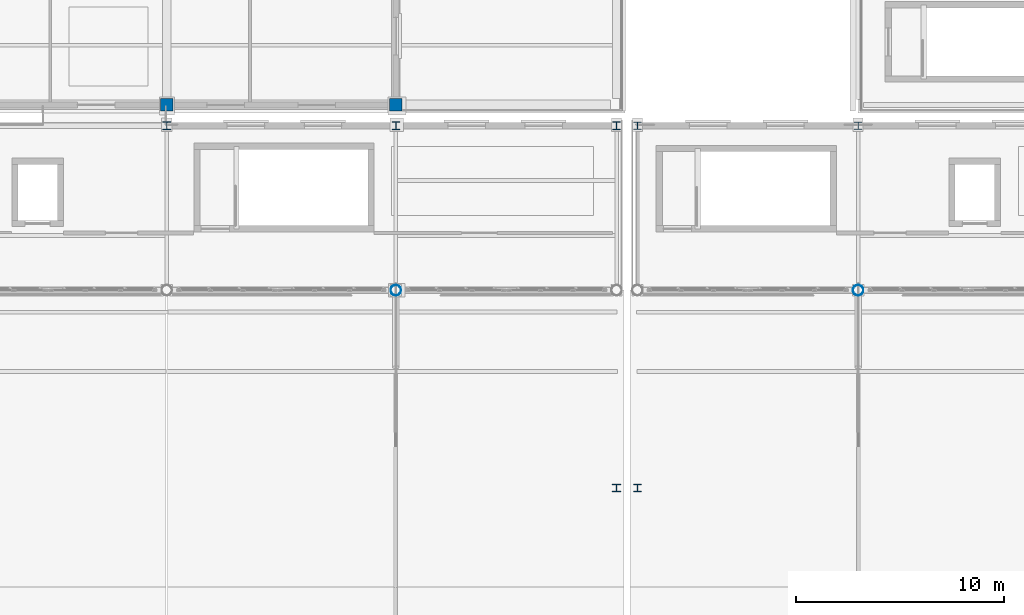
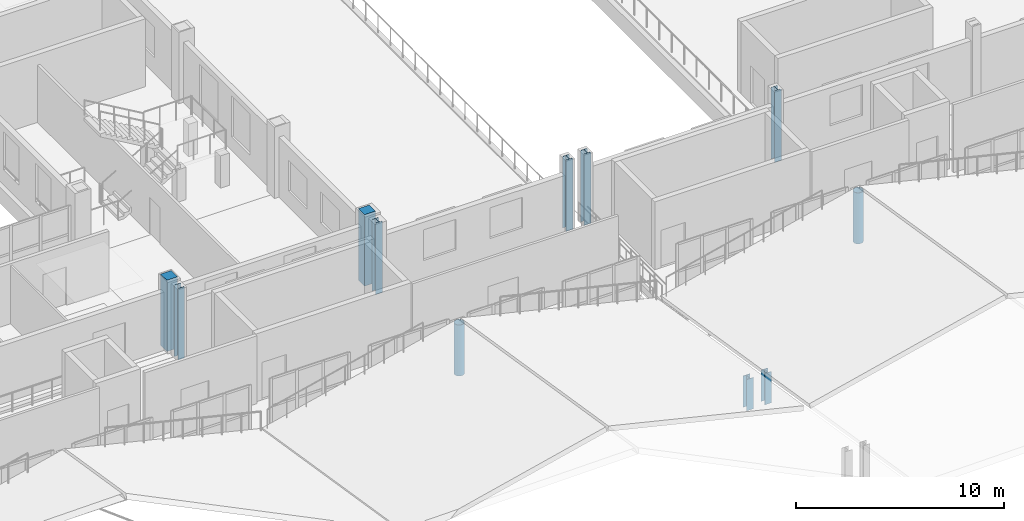
# One storey, part 6 of 120: 11 columns.
"""IFC4 building model written with IfcOpenShell, lengths in metres."""

from ifc_helpers import new_model, si_unit, direction, frame, origin, origin_2d, place, context, subcontext, project, spatial, rectangle, hollow_circle, i_section, extrude, material, material_profile, profile_set, type_object, element, save


model = new_model("IFC4")

# Units and contexts
model_context = context("Model", 3, precision=1e-05, world=origin(), true_north=direction((0.0, 1.0)))
body_context = subcontext(model_context, "Body", "Model", "MODEL_VIEW")
ifc_project = project(units=[si_unit("LENGTHUNIT", "METRE"), si_unit("AREAUNIT", "SQUARE_METRE"), si_unit("VOLUMEUNIT", "CUBIC_METRE"), si_unit("PLANEANGLEUNIT", "RADIAN"), si_unit("MASSUNIT", "GRAM", prefix="KILO")], contexts=[model_context])

# Site, building, storey
site_placement = place(None, origin())
site = spatial("IfcSite", under=ifc_project, at=site_placement, CompositionType="ELEMENT")
building_placement = place(site_placement, origin())
building = spatial("IfcBuilding", under=site, at=building_placement, Name="Caurita Quay Ferry Terminal", CompositionType="ELEMENT")
storey_placement = place(building_placement, frame((0.0, 0.0, 9.89990234375)))
storey = spatial("IfcBuildingStorey", under=building, at=storey_placement, Name="L02", CompositionType="ELEMENT", Elevation=9.89990234375)

# Columns
ifc_material_1 = material(Name="Hollow structural steel ASTM A500 Gr. C", Category="steel")
ifc_material_profile_1 = material_profile(ifc_material_1, hollow_circle(Radius=0.25390625, WallThickness=0.01171875, at=origin_2d()), Name="HSS20.000X0.500")
ifc_profile_set_1 = profile_set([ifc_material_profile_1], Name="Hollow structural steel ASTM A500 Gr. C")
column_type_1 = type_object("IfcColumnType", Name="COL-MST-01", PredefinedType="COLUMN", material=ifc_profile_set_1)
for number, where, z_axis, x_axis, name in (
    (1, (77.0, 62.699951171875, 0.0), (0.0, 0.0, 1.0), (1.0, 0.0, 0.0), "L02 Column V1-MST-08-N"),
    (2, (99.199951171875, 62.699951171875, 0.0), (0.0, 0.0, 1.0), (1.0, 0.0, 0.0), "L02 Column V2-MST-11-N"),
):
    element("IfcColumn", number, at=place(storey_placement, frame(where, z_axis=z_axis, x_axis=x_axis)), inside=storey, type_object=column_type_1, Name=name, PredefinedType="COLUMN", context=body_context, shape_type="SweptSolid", body=[
        extrude(hollow_circle(Radius=0.25390625, WallThickness=0.01171875, at=origin_2d()), origin(), (0.0, 0.0, 1.0), 3.0),
    ])
ifc_material_2 = material(Name="Reinforced concrete C35/45", Category="concrete")
ifc_material_profile_2 = material_profile(ifc_material_2, rectangle(XDim=0.60009765625, YDim=0.60009765625, at=origin_2d()), Name="RC-COL-600X600")
ifc_profile_set_2 = profile_set([ifc_material_profile_2], Name="Reinforced concrete C35/45")
column_type_2 = type_object("IfcColumnType", Name="COL-RC-600", PredefinedType="COLUMN", material=ifc_profile_set_2)
for number, where, z_axis, x_axis, name in (
    (3, (66.0, 71.60009765625, 0.0), (0.0, 0.0, 1.0), (1.0, 0.0, 0.0), "L02 Column V5-07-L"),
    (4, (77.0, 71.60009765625, 0.0), (0.0, 0.0, 1.0), (1.0, 0.0, 0.0), "L02 Column V5-08-L"),
):
    element("IfcColumn", number, at=place(storey_placement, frame(where, z_axis=z_axis, x_axis=x_axis)), inside=storey, type_object=column_type_2, Name=name, PredefinedType="COLUMN", context=body_context, shape_type="SweptSolid", body=[
        extrude(rectangle(XDim=0.60009765625, YDim=0.60009765625, at=origin_2d()), origin(), (0.0, 0.0, 1.0), 4.2001953125),
    ])
ifc_material_3 = material(Name="Structural steel ASTM A992 Gr. 50", Category="steel")
ifc_material_profile_3 = material_profile(ifc_material_3, i_section(OverallWidth=0.393798828125, OverallDepth=0.3759765625, WebThickness=0.017333984375, FlangeThickness=0.027587890625, FilletRadius=0.017822265625, at=origin_2d()), Name="W14X145")
ifc_profile_set_3 = profile_set([ifc_material_profile_3], Name="Structural steel ASTM A992 Gr. 50")
column_type_3 = type_object("IfcColumnType", Name="COL-STL-06", PredefinedType="COLUMN", material=ifc_profile_set_3)
column_1_placement = place(storey_placement, frame((87.60009765625, 53.199951171875, 0.0), z_axis=(0.0, 0.0, 1.0), x_axis=(1.0, 0.0, 0.0)))
element("IfcColumn", 5, at=column_1_placement, inside=storey, type_object=column_type_3, Name="L02 Column V1-GBL-09-H", PredefinedType="COLUMN", context=body_context, shape_type="SweptSolid", body=[
    extrude(i_section(OverallWidth=0.393798828125, OverallDepth=0.3759765625, WebThickness=0.017333984375, FlangeThickness=0.027587890625, FilletRadius=0.017822265625, at=origin_2d()), origin(), (0.0, 0.0, 1.0), 1.840087890625),
])
ifc_material_profile_4 = material_profile(ifc_material_3, i_section(OverallWidth=0.370849609375, OverallDepth=0.36328125, WebThickness=0.01318359375, FlangeThickness=0.021728515625, FilletRadius=0.017822265625, at=origin_2d()), Name="W14X109")
ifc_profile_set_4 = profile_set([ifc_material_profile_4], Name="Structural steel ASTM A992 Gr. 50")
column_type_4 = type_object("IfcColumnType", Name="COL-STL-08", PredefinedType="COLUMN", material=ifc_profile_set_4)
for number, where, z_axis, x_axis, name in (
    (6, (66.0, 70.60009765625, 0.0), (0.0, 0.0, 1.0), (1.0, 0.0, 0.0), "L02 Column V1-NTH-07-K"),
    (7, (77.0, 70.60009765625, 0.0), (0.0, 0.0, 1.0), (1.0, 0.0, 0.0), "L02 Column V1-NTH-08-K"),
    (8, (87.60009765625, 70.60009765625, 0.0), (0.0, 0.0, 1.0), (1.0, 0.0, 0.0), "L02 Column V1-NTH-09-K"),
):
    element("IfcColumn", number, at=place(storey_placement, frame(where, z_axis=z_axis, x_axis=x_axis)), inside=storey, type_object=column_type_4, Name=name, PredefinedType="COLUMN", context=body_context, shape_type="SweptSolid", body=[
        extrude(i_section(OverallWidth=0.370849609375, OverallDepth=0.36328125, WebThickness=0.01318359375, FlangeThickness=0.021728515625, FilletRadius=0.017822265625, at=origin_2d()), origin(), (0.0, 0.0, 1.0), 4.2001953125),
    ])
column_2_placement = place(storey_placement, frame((88.60009765625, 53.199951171875, 0.0), z_axis=(0.0, 0.0, 1.0), x_axis=(1.0, 0.0, 0.0)))
element("IfcColumn", 9, at=column_2_placement, inside=storey, type_object=column_type_4, Name="L02 Column V2-GBL-10-H", PredefinedType="COLUMN", context=body_context, shape_type="SweptSolid", body=[
    extrude(i_section(OverallWidth=0.370849609375, OverallDepth=0.36328125, WebThickness=0.01318359375, FlangeThickness=0.021728515625, FilletRadius=0.017822265625, at=origin_2d()), origin(), (0.0, 0.0, 1.0), 1.840087890625),
])
ifc_material_profile_5 = material_profile(ifc_material_3, i_section(OverallWidth=0.367919921875, OverallDepth=0.35595703125, WebThickness=0.01123046875, FlangeThickness=0.01806640625, at=origin_2d()), Name="W14X90")
ifc_profile_set_5 = profile_set([ifc_material_profile_5], Name="Structural steel ASTM A992 Gr. 50")
column_type_5 = type_object("IfcColumnType", Name="COL-STL-09", PredefinedType="COLUMN", material=ifc_profile_set_5)
for number, where, z_axis, x_axis, name in (
    (10, (88.60009765625, 70.60009765625, 0.0), (0.0, 0.0, 1.0), (1.0, 0.0, 0.0), "L02 Column V2-NTH-10-K"),
    (11, (99.199951171875, 70.60009765625, 0.0), (0.0, 0.0, 1.0), (1.0, 0.0, 0.0), "L02 Column V2-NTH-11-K"),
):
    element("IfcColumn", number, at=place(storey_placement, frame(where, z_axis=z_axis, x_axis=x_axis)), inside=storey, type_object=column_type_5, Name=name, PredefinedType="COLUMN", context=body_context, shape_type="SweptSolid", body=[
        extrude(i_section(OverallWidth=0.367919921875, OverallDepth=0.35595703125, WebThickness=0.01123046875, FlangeThickness=0.01806640625, at=origin_2d()), origin(), (0.0, 0.0, 1.0), 4.2001953125),
    ])

save(model, "model.ifc")
